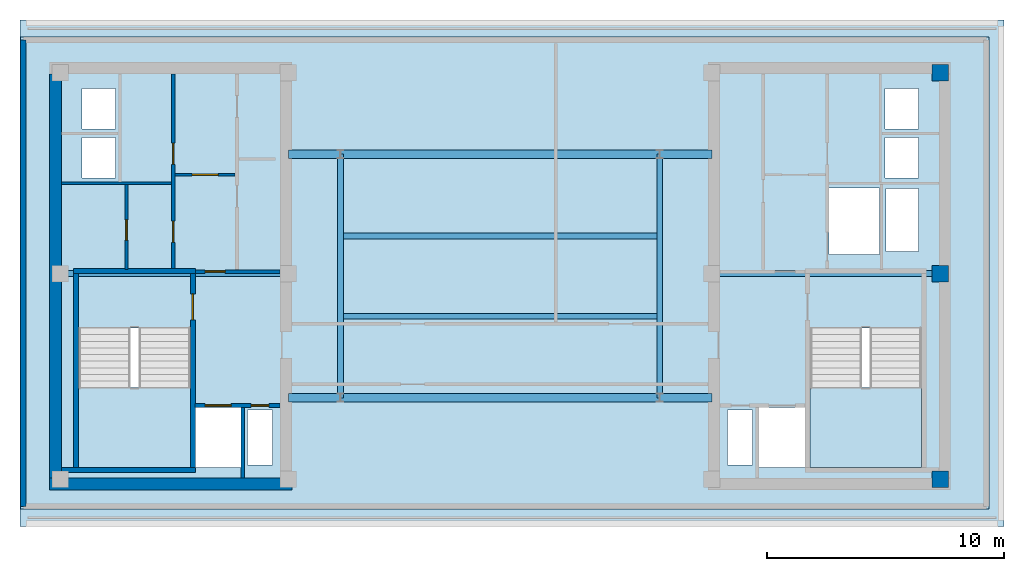
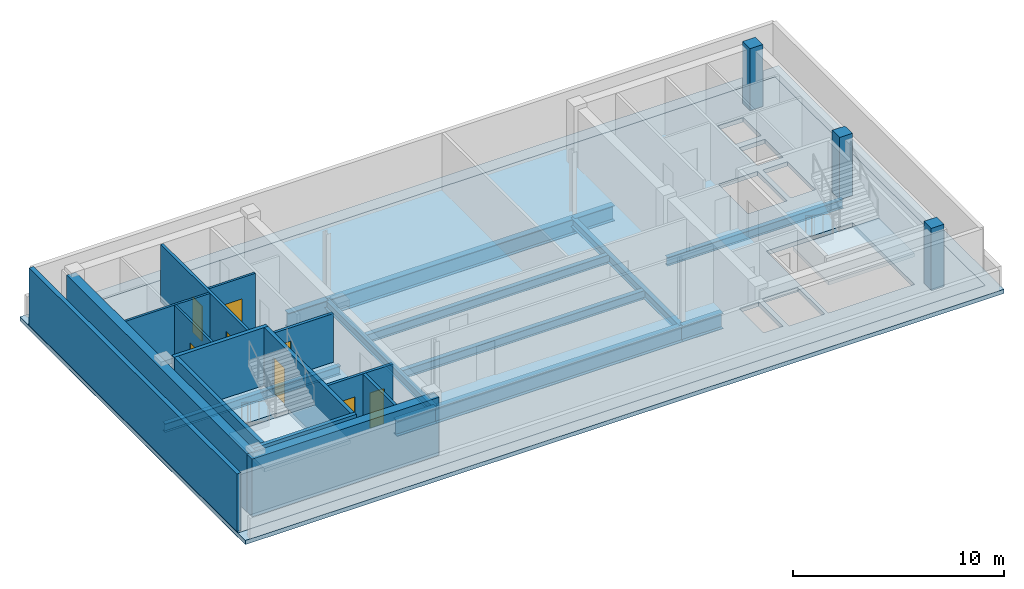
# One storey, part 2 of 5: 14 walls, 12 beams, 8 doors, 4 slabs, 3 columns, 8 openings, 2 elements without a shape of their own.
"""IFC4 building model written with IfcOpenShell, lengths in metres."""

from ifc_helpers import new_model, si_unit, direction, frame, frame_2d, origin, origin_2d, place, context, subcontext, project, spatial, polyline, rectangle, i_section, outline, extrude, material, layer, layer_set, material_profile, profile_set, type_object, element, fill, aggregate, save


model = new_model("IFC4")

# Units and contexts
model_context = context("Model", 3, precision=1e-05, world=origin(), true_north=direction((0.0, 1.0)))
body_context = subcontext(model_context, "Body", "Model", "MODEL_VIEW")
ifc_project = project(units=[si_unit("LENGTHUNIT", "METRE"), si_unit("AREAUNIT", "SQUARE_METRE"), si_unit("VOLUMEUNIT", "CUBIC_METRE"), si_unit("PLANEANGLEUNIT", "RADIAN"), si_unit("MASSUNIT", "GRAM", prefix="KILO")], contexts=[model_context])

# Site, building, storey
site_placement = place(None, origin())
site = spatial("IfcSite", under=ifc_project, at=site_placement, CompositionType="ELEMENT")
building_placement = place(site_placement, origin())
building = spatial("IfcBuilding", under=site, at=building_placement, Name="Velakula Bourse", CompositionType="ELEMENT")
storey_placement = place(building_placement, frame((0.0, 0.0, 304.949951171875)))
storey = spatial("IfcBuildingStorey", under=building, at=storey_placement, Name="L83", CompositionType="ELEMENT", Elevation=304.949951171875)

# Columns
ifc_material_1 = material(Name="Concrete M50 (fck 50 MPa)", Category="concrete")
ifc_material_profile_1 = material_profile(ifc_material_1, rectangle(XDim=0.699951171875, YDim=0.699951171875, at=origin_2d()), Name="Concrete M50 (fck 50 MPa)")
ifc_profile_set_1 = profile_set([ifc_material_profile_1], Name="Concrete M50 (fck 50 MPa)")
column_type = type_object("IfcColumnType", Name="COL-RC-700", PredefinedType="COLUMN", material=ifc_profile_set_1)
for number, where, z_axis, x_axis, name in (
    (1, (18.60009765625, -8.60009765625, 0.0), (0.0, 0.0, 1.0), (1.0, 0.0, 0.0), "L83 Core Boundary Column 10"),
    (2, (18.60009765625, 0.10009765625, 0.0), (0.0, 0.0, 1.0), (1.0, 0.0, 0.0), "L83 Core Boundary Column 11"),
    (3, (18.60009765625, 8.60009765625, 0.0), (0.0, 0.0, 1.0), (1.0, 0.0, 0.0), "L83 Core Boundary Column 12"),
):
    element("IfcColumn", number, at=place(storey_placement, frame(where, z_axis=z_axis, x_axis=x_axis)), inside=storey, type_object=column_type, Name=name, PredefinedType="COLUMN", context=body_context, shape_type="SweptSolid", body=[
        extrude(rectangle(XDim=0.699951171875, YDim=0.699951171875, at=origin_2d()), origin(), (0.0, 0.0, 1.0), 3.60009765625),
    ])

# Beams
ifc_material_2 = material(Name="Steel IS 2062 Grade 350 (E350)", Category="steel")
ifc_material_profile_2 = material_profile(ifc_material_2, i_section(OverallWidth=0.25, OverallDepth=0.5, WebThickness=0.010009765625, FlangeThickness=0.0146484375, at=origin_2d()), Name="Steel IS 2062 Grade 350 (E350)")
ifc_profile_set_2 = profile_set([ifc_material_profile_2], Name="Steel IS 2062 Grade 350 (E350)")
beam_type_1 = type_object("IfcBeamType", Name="BM-EDG-500", PredefinedType="BEAM", material=ifc_profile_set_2)
for number, where, z_axis, x_axis, name in (
    (4, (-18.60009765625, 0.10009765625, -0.5), (1.0, 0.0, 0.0), (0.0, 1.0, 0.0), "L83 Primary Backbone Girder CRW-M"),
    (5, (8.949951171875, 0.10009765625, -0.5), (1.0, 0.0, 0.0), (0.0, 1.0, 0.0), "L83 Primary Backbone Girder CRE-M"),
):
    element("IfcBeam", number, at=place(storey_placement, frame(where, z_axis=z_axis, x_axis=x_axis)), inside=storey, type_object=beam_type_1, Name=name, PredefinedType="BEAM", context=body_context, shape_type="SweptSolid", body=[
        extrude(i_section(OverallWidth=0.25, OverallDepth=0.5, WebThickness=0.010009765625, FlangeThickness=0.0146484375, at=origin_2d()), origin(), (0.0, 0.0, 1.0), 9.650146484375),
    ])
for number, where, z_axis, x_axis, name in (
    (6, (-6.75, -5.14990234375, -0.5), (0.0, 1.0, 0.0), (-1.0, 0.0, 0.0), "L83 Primary Backbone Girder SPN-W"),
    (7, (6.75, -5.14990234375, -0.5), (0.0, 1.0, 0.0), (-1.0, 0.0, 0.0), "L83 Primary Backbone Girder SPN-E"),
):
    element("IfcBeam", number, at=place(storey_placement, frame(where, z_axis=z_axis, x_axis=x_axis)), inside=storey, type_object=beam_type_1, Name=name, PredefinedType="BEAM", context=body_context, shape_type="SweptSolid", body=[
        extrude(i_section(OverallWidth=0.25, OverallDepth=0.5, WebThickness=0.010009765625, FlangeThickness=0.0146484375, at=origin_2d()), origin(), (0.0, 0.0, 1.0), 10.2998046875),
    ])
for number, where, z_axis, x_axis, name in (
    (8, (-6.75, -1.699951171875, -0.5), (1.0, 0.0, 0.0), (0.0, 1.0, 0.0), "L83 Crown Mechanical Floor Girder 1"),
    (9, (-6.75, 1.699951171875, -0.5), (1.0, 0.0, 0.0), (0.0, 1.0, 0.0), "L83 Crown Mechanical Floor Girder 2"),
):
    element("IfcBeam", number, at=place(storey_placement, frame(where, z_axis=z_axis, x_axis=x_axis)), inside=storey, type_object=beam_type_1, Name=name, PredefinedType="BEAM", context=body_context, shape_type="SweptSolid", body=[
        extrude(i_section(OverallWidth=0.25, OverallDepth=0.5, WebThickness=0.010009765625, FlangeThickness=0.0146484375, at=origin_2d()), origin(), (0.0, 0.0, 1.0), 13.5),
    ])
ifc_material_profile_3 = material_profile(ifc_material_2, i_section(OverallWidth=0.35009765625, OverallDepth=0.89990234375, WebThickness=0.02001953125, FlangeThickness=0.031982421875, at=origin_2d()), Name="Steel IS 2062 Grade 350 (E350)")
ifc_profile_set_3 = profile_set([ifc_material_profile_3], Name="Steel IS 2062 Grade 350 (E350)")
beam_type_2 = type_object("IfcBeamType", Name="BM-LNK-900", PredefinedType="BEAM", material=ifc_profile_set_3)
beam_1_placement = place(storey_placement, frame((-8.949951171875, -5.14990234375, -0.699951171875), z_axis=(1.0, 0.0, 0.0), x_axis=(0.0, 1.0, 0.0)))
element("IfcBeam", 10, at=beam_1_placement, inside=storey, type_object=beam_type_2, Name="L83 Primary Backbone Girder LNK-S1", PredefinedType="BEAM", context=body_context, shape_type="SweptSolid", body=[
    extrude(i_section(OverallWidth=0.35009765625, OverallDepth=0.89990234375, WebThickness=0.02001953125, FlangeThickness=0.031982421875, at=origin_2d()), origin(), (0.0, 0.0, 1.0), 2.199951171875),
])
beam_2_placement = place(storey_placement, frame((-6.75, -5.14990234375, -0.699951171875), z_axis=(1.0, 0.0, 0.0), x_axis=(0.0, 1.0, 0.0)))
element("IfcBeam", 11, at=beam_2_placement, inside=storey, type_object=beam_type_2, Name="L83 Primary Backbone Girder LNK-S2", PredefinedType="BEAM", context=body_context, shape_type="SweptSolid", body=[
    extrude(i_section(OverallWidth=0.35009765625, OverallDepth=0.89990234375, WebThickness=0.02001953125, FlangeThickness=0.031982421875, at=origin_2d()), origin(), (0.0, 0.0, 1.0), 13.5),
])
for number, where, z_axis, x_axis, name in (
    (12, (6.75, -5.14990234375, -0.699951171875), (1.0, 0.0, 0.0), (0.0, 1.0, 0.0), "L83 Primary Backbone Girder LNK-S3"),
    (13, (-8.949951171875, 5.14990234375, -0.699951171875), (1.0, 0.0, 0.0), (0.0, 1.0, 0.0), "L83 Primary Backbone Girder LNK-N1"),
):
    element("IfcBeam", number, at=place(storey_placement, frame(where, z_axis=z_axis, x_axis=x_axis)), inside=storey, type_object=beam_type_2, Name=name, PredefinedType="BEAM", context=body_context, shape_type="SweptSolid", body=[
        extrude(i_section(OverallWidth=0.35009765625, OverallDepth=0.89990234375, WebThickness=0.02001953125, FlangeThickness=0.031982421875, at=origin_2d()), origin(), (0.0, 0.0, 1.0), 2.199951171875),
    ])
beam_3_placement = place(storey_placement, frame((-6.75, 5.14990234375, -0.699951171875), z_axis=(1.0, 0.0, 0.0), x_axis=(0.0, 1.0, 0.0)))
element("IfcBeam", 14, at=beam_3_placement, inside=storey, type_object=beam_type_2, Name="L83 Primary Backbone Girder LNK-N2", PredefinedType="BEAM", context=body_context, shape_type="SweptSolid", body=[
    extrude(i_section(OverallWidth=0.35009765625, OverallDepth=0.89990234375, WebThickness=0.02001953125, FlangeThickness=0.031982421875, at=origin_2d()), origin(), (0.0, 0.0, 1.0), 13.5),
])
beam_4_placement = place(storey_placement, frame((6.75, 5.14990234375, -0.699951171875), z_axis=(1.0, 0.0, 0.0), x_axis=(0.0, 1.0, 0.0)))
element("IfcBeam", 15, at=beam_4_placement, inside=storey, type_object=beam_type_2, Name="L83 Primary Backbone Girder LNK-N3", PredefinedType="BEAM", context=body_context, shape_type="SweptSolid", body=[
    extrude(i_section(OverallWidth=0.35009765625, OverallDepth=0.89990234375, WebThickness=0.02001953125, FlangeThickness=0.031982421875, at=origin_2d()), origin(), (0.0, 0.0, 1.0), 2.199951171875),
])

# Slabs
ifc_layer_1 = layer(ifc_material_1, 0.239990234375, Name="Concrete M50 (fck 50 MPa)", Category="concrete")
ifc_layer_set_1 = layer_set([ifc_layer_1], Name="Concrete M50 (fck 50 MPa)")
slab_type_1 = type_object("IfcSlabType", Name="SLB-CRN-ROOF-240", PredefinedType="ROOF", material=ifc_layer_set_1)
slab_1_placement = place(storey_placement, frame((0.0, 0.0, -0.239990234375)))
element("IfcSlab", 16, at=slab_1_placement, inside=storey, type_object=slab_type_1, Name="L83 Crown Step 6 Closed Roof", PredefinedType="ROOF", context=body_context, shape_type="SweptSolid", body=[
    extrude(outline(polyline([(-20.300048828125, 10.820068359375), (21.300048828125, 10.820068359375), (21.300048828125, -10.580078125), (-20.300048828125, -10.580078125), (-20.300048828125, 10.820068359375)]), holes=[polyline([(20.679931640625, -9.860107421875), (20.679931640625, 10.10009765625), (-20.280029296875, 10.10009765625), (-20.280029296875, -9.860107421875), (20.679931640625, -9.860107421875)])]), origin(), (0.0, 0.0, 1.0), 0.239990234375),
])
ifc_layer_2 = layer(ifc_material_1, 0.25, Name="Concrete M50 (fck 50 MPa)", Category="concrete")
ifc_layer_set_2 = layer_set([ifc_layer_2], Name="Concrete M50 (fck 50 MPa)")
slab_type_2 = type_object("IfcSlabType", Name="SLB-POD-250", PredefinedType="FLOOR", material=ifc_layer_set_2)
slab_2_placement = place(storey_placement, frame((0.0, 0.0, -0.25)))
element("IfcSlab", 17, at=slab_2_placement, inside=storey, type_object=slab_type_2, Name="L83 Suspended Structural Floor Slab", PredefinedType="FLOOR", context=body_context, shape_type="SweptSolid", body=[
    extrude(outline(polyline([(-20.300048828125, -9.8798828125), (20.699951171875, -9.8798828125), (20.699951171875, 10.1201171875), (-20.300048828125, 10.1201171875), (-20.300048828125, -9.8798828125)]), holes=[polyline([(-17.820068359375, -8.10009765625), (-13.10009765625, -8.10009765625), (-13.10009765625, -2.199951171875), (-17.820068359375, -2.199951171875), (-17.820068359375, -8.10009765625)]), polyline([(13.10009765625, -8.10009765625), (17.820068359375, -8.10009765625), (17.820068359375, -2.199951171875), (13.10009765625, -2.199951171875), (13.10009765625, -8.10009765625)]), polyline([(-12.89990234375, -8.10009765625), (-10.949951171875, -8.10009765625), (-10.949951171875, -5.550048828125), (-12.89990234375, -5.550048828125), (-12.89990234375, -8.10009765625)]), polyline([(10.949951171875, -8.10009765625), (12.89990234375, -8.10009765625), (12.89990234375, -5.550048828125), (10.949951171875, -5.550048828125), (10.949951171875, -8.10009765625)]), polyline([(13.89990234375, 0.919921875), (16.050048828125, 0.919921875), (16.050048828125, 3.719970703125), (13.89990234375, 3.719970703125), (13.89990234375, 0.919921875)]), polyline([(-10.679931640625, -7.97998046875), (-9.6201171875, -7.97998046875), (-9.6201171875, -5.669921875), (-10.679931640625, -5.669921875), (-10.679931640625, -7.97998046875)]), polyline([(-17.679931640625, 4.139892578125), (-16.27001953125, 4.139892578125), (-16.27001953125, 5.85009765625), (-17.679931640625, 5.85009765625), (-17.679931640625, 4.139892578125)]), polyline([(-17.679931640625, 6.2099609375), (-16.27001953125, 6.2099609375), (-16.27001953125, 7.919921875), (-17.679931640625, 7.919921875), (-17.679931640625, 6.2099609375)]), polyline([(9.6201171875, -7.97998046875), (10.679931640625, -7.97998046875), (10.679931640625, -5.669921875), (9.6201171875, -5.669921875), (9.6201171875, -7.97998046875)]), polyline([(16.27001953125, 4.139892578125), (17.679931640625, 4.139892578125), (17.679931640625, 5.85009765625), (16.27001953125, 5.85009765625), (16.27001953125, 4.139892578125)]), polyline([(16.27001953125, 6.2099609375), (17.679931640625, 6.2099609375), (17.679931640625, 7.919921875), (16.27001953125, 7.919921875), (16.27001953125, 6.2099609375)]), polyline([(16.320068359375, 1.0400390625), (17.679931640625, 1.0400390625), (17.679931640625, 3.699951171875), (16.320068359375, 3.699951171875), (16.320068359375, 1.0400390625)])]), origin(), (0.0, 0.0, 1.0), 0.25),
])

# Stair, slab
ifc_material_3 = material(Name="Concrete M45 (fck 45 MPa)", Category="concrete")
stair_type = type_object("IfcStairType", Name="STR-DOG-390", PredefinedType="HALF_TURN_STAIR", material=ifc_material_3)
stair_1_placement = place(storey_placement, origin())
stair_1 = element("IfcStair", 18, at=stair_1_placement, inside=storey, type_object=stair_type, Name="L83 West Core Exit Stair ST-W1", PredefinedType="HALF_TURN_STAIR")
ifc_layer_3 = layer(ifc_material_3, 0.199951171875, Name="Concrete M45 (fck 45 MPa)", Category="concrete")
ifc_layer_set_3 = layer_set([ifc_layer_3], Name="Concrete M45 (fck 45 MPa)")
slab_type_3 = type_object("IfcSlabType", Name="SLB-STAIR-LND-200", PredefinedType="LANDING", material=ifc_layer_set_3)
slab_3_placement = place(storey_placement, frame((0.0, 0.0, 1.60009765625)))
slab_3 = element("IfcSlab", 19, at=slab_3_placement, type_object=slab_type_3, Name="ST-W1 landing 1", PredefinedType="LANDING", context=body_context, shape_type="SweptSolid", body=[
    extrude(outline(polyline([(-17.820068359375, -4.719970703125), (-17.820068359375, -8.10009765625), (-13.10009765625, -8.10009765625), (-13.10009765625, -4.719970703125), (-17.820068359375, -4.719970703125)])), origin(), (0.0, 0.0, 1.0), 0.199951171875),
])
aggregate(stair_1, [slab_3])

stair_2_placement = place(storey_placement, origin())
stair_2 = element("IfcStair", 20, at=stair_2_placement, inside=storey, type_object=stair_type, Name="L83 East Core Exit Stair ST-E1", PredefinedType="HALF_TURN_STAIR")
slab_4_placement = place(storey_placement, frame((0.0, 0.0, 1.60009765625)))
slab_4 = element("IfcSlab", 21, at=slab_4_placement, type_object=slab_type_3, Name="ST-E1 landing 1", PredefinedType="LANDING", context=body_context, shape_type="SweptSolid", body=[
    extrude(outline(polyline([(13.10009765625, -4.719970703125), (13.10009765625, -8.10009765625), (17.820068359375, -8.10009765625), (17.820068359375, -4.719970703125), (13.10009765625, -4.719970703125)])), origin(), (0.0, 0.0, 1.0), 0.199951171875),
])
aggregate(stair_2, [slab_4])

# Wall, opening, door
ifc_layer_4 = layer(ifc_material_1, 0.2099609375, Name="Concrete M50 (fck 50 MPa)", Category="concrete")
ifc_layer_set_4 = layer_set([ifc_layer_4], Name="Concrete M50 (fck 50 MPa)")
wall_type_1 = type_object("IfcWallType", Name="WL-CORE-210", PredefinedType="SHEAR", material=ifc_layer_set_4)
wall_1_placement = place(storey_placement, frame((-12.9951171875, -8.10009765625, 0.0), z_axis=(0.0, 0.0, 1.0), x_axis=(0.0, 1.0, 0.0)))
wall_1 = element("IfcWall", 22, at=wall_1_placement, inside=storey, type_object=wall_type_1, Name="L83 Core W Stairwell Shear Wall IN", PredefinedType="SHEAR", context=body_context, shape_type="SweptSolid", body=[
    extrude(rectangle(XDim=8.2001953125, YDim=0.2099609375, at=frame_2d((4.10009765625, 0.0))), origin(), (0.0, 0.0, 1.0), 3.35009765625),
])
opening_1_placement = place(wall_1_placement, frame((6.25, 0.0, 0.0)))
opening_1 = element("IfcOpeningElement", 23, at=opening_1_placement, cuts=wall_1, Name="Opening D-STW1", PredefinedType="OPENING", context=body_context, shape_type="SweptSolid", body=[
    extrude(rectangle(XDim=1.10009765625, YDim=2.14990234375, at=frame_2d((0.550048828125, 1.074951171875))), frame((0.0, 0.114990234375, 0.0), z_axis=(0.0, -1.0, 0.0), x_axis=(1.0, 0.0, 0.0)), (0.0, 0.0, 1.0), 0.22998046875),
])
ifc_material_4 = material(Name="Galvanised painted hollow steel fire door", Category="steel")
door_type_1 = type_object("IfcDoorType", Name="DR-FD120-1100x2150", OperationType="NOTDEFINED", PredefinedType="DOOR", material=ifc_material_4)
door_1_placement = place(opening_1_placement, origin())
door_1 = element("IfcDoor", 24, at=door_1_placement, inside=storey, type_object=door_type_1, Name="L83 Stair ST-W1 Fire Door", OperationType="SINGLE_SWING_LEFT", OverallHeight=2.14990234375, OverallWidth=1.10009765625, PredefinedType="DOOR", context=body_context, shape_type="SweptSolid", body=[
    extrude(rectangle(XDim=1.10009765625, YDim=2.14990234375, at=frame_2d((0.550048828125, 1.074951171875))), frame((0.0, 0.02490234375, 0.0), z_axis=(0.0, -1.0, 0.0), x_axis=(1.0, 0.0, 0.0)), (0.0, 0.0, 1.0), 0.050048828125),
])
fill(opening_1, door_1)

# Walls
wall_2_placement = place(storey_placement, frame((-17.925048828125, -8.10009765625, 0.0), z_axis=(0.0, 0.0, 1.0), x_axis=(0.0, 1.0, 0.0)))
element("IfcWall", 25, at=wall_2_placement, inside=storey, type_object=wall_type_1, Name="L83 Core W Stairwell Shear Wall OUT", PredefinedType="SHEAR", context=body_context, shape_type="SweptSolid", body=[
    extrude(rectangle(XDim=8.2001953125, YDim=0.2099609375, at=frame_2d((4.10009765625, 0.0))), origin(), (0.0, 0.0, 1.0), 3.35009765625),
])
wall_3_placement = place(storey_placement, frame((-18.550048828125, -8.205078125, 0.0), z_axis=(0.0, 0.0, 1.0), x_axis=(1.0, 0.0, 0.0)))
element("IfcWall", 26, at=wall_3_placement, inside=storey, type_object=wall_type_1, Name="L83 Core W Stairwell Shear Wall S", PredefinedType="SHEAR", context=body_context, shape_type="SweptSolid", body=[
    extrude(rectangle(XDim=5.66015625, YDim=0.2099609375, at=frame_2d((2.830078125, 0.0))), origin(), (0.0, 0.0, 1.0), 3.35009765625),
])
wall_4_placement = place(storey_placement, frame((-12.889892578125, 0.205078125, 0.0), z_axis=(0.0, 0.0, 1.0), x_axis=(-1.0, 0.0, 0.0)))
element("IfcWall", 27, at=wall_4_placement, inside=storey, type_object=wall_type_1, Name="L83 Core W Stairwell Shear Wall N", PredefinedType="SHEAR", context=body_context, shape_type="SweptSolid", body=[
    extrude(rectangle(XDim=5.14013671875, YDim=0.2099609375, at=frame_2d((2.570068359375, 0.0))), origin(), (0.0, 0.0, 1.0), 3.35009765625),
])
ifc_layer_5 = layer(ifc_material_1, 0.5, Name="Concrete M50 (fck 50 MPa)", Category="concrete")
ifc_layer_set_5 = layer_set([ifc_layer_5], Name="Concrete M50 (fck 50 MPa)")
wall_type_2 = type_object("IfcWallType", Name="WL-CORE-500", PredefinedType="SHEAR", material=ifc_layer_set_5)
wall_5_placement = place(storey_placement, frame((-19.050048828125, -8.800048828125, 0.0), z_axis=(0.0, 0.0, 1.0), x_axis=(1.0, 0.0, 0.0)))
element("IfcWall", 28, at=wall_5_placement, inside=storey, type_object=wall_type_2, Name="L83 Core W Shear Wall S", PredefinedType="SHEAR", context=body_context, shape_type="SweptSolid", body=[
    extrude(rectangle(XDim=10.25, YDim=0.5, at=frame_2d((5.125, 0.0))), origin(), (0.0, 0.0, 1.0), 3.35009765625),
])
wall_6_placement = place(storey_placement, frame((-18.800048828125, -8.550048828125, 0.0), z_axis=(0.0, 0.0, 1.0), x_axis=(0.0, 1.0, 0.0)))
element("IfcWall", 29, at=wall_6_placement, inside=storey, type_object=wall_type_2, Name="L83 Core W Shear Wall W", PredefinedType="SHEAR", context=body_context, shape_type="SweptSolid", body=[
    extrude(rectangle(XDim=17.10009765625, YDim=0.5, at=frame_2d((8.550048828125, 0.0))), origin(), (0.0, 0.0, 1.0), 3.35009765625),
])
ifc_material_5 = material(Name="Buff kilned clay facing brick masonry", Category="masonry")
ifc_layer_6 = layer(ifc_material_5, 0.239990234375, Name="Buff kilned clay facing brick masonry", Category="masonry")
ifc_layer_set_6 = layer_set([ifc_layer_6], Name="Buff kilned clay facing brick masonry")
wall_type_3 = type_object("IfcWallType", Name="WL-EXT-CRN-240", PredefinedType="STANDARD", material=ifc_layer_set_6)
wall_7_placement = place(storey_placement, frame((-20.159912109375, 9.97998046875, 0.0), z_axis=(0.0, 0.0, 1.0), x_axis=(0.0, -1.0, 0.0)))
element("IfcWall", 30, at=wall_7_placement, inside=storey, type_object=wall_type_3, Name="L83 Crown Brick Acoustic Wall W", PredefinedType="STANDARD", context=body_context, shape_type="SweptSolid", body=[
    extrude(rectangle(XDim=19.719970703125, YDim=0.239990234375, at=frame_2d((9.85986328125, 0.0))), origin(), (0.0, 0.0, 1.0), 3.330078125),
])

# Wall, opening, door
ifc_material_6 = material(Name="Fire-rated double-layer gypsum drywall partition", Category="gypsum")
ifc_layer_7 = layer(ifc_material_6, 0.1201171875, Name="Fire-rated double-layer gypsum drywall partition", Category="gypsum")
ifc_layer_set_7 = layer_set([ifc_layer_7], Name="Fire-rated double-layer gypsum drywall partition")
wall_type_4 = type_object("IfcWallType", Name="WL-PART-120", PredefinedType="STANDARD", material=ifc_layer_set_7)
wall_8_placement = place(storey_placement, frame((-13.75, 4.280029296875, 0.0), z_axis=(0.0, 0.0, 1.0), x_axis=(1.0, 0.0, 0.0)))
wall_8 = element("IfcWall", 31, at=wall_8_placement, inside=storey, type_object=wall_type_4, Name="L83 Interior Partition WL-CRW-L83-LL-K2", PredefinedType="STANDARD", context=body_context, shape_type="SweptSolid", body=[
    extrude(rectangle(XDim=2.550048828125, YDim=0.1201171875, at=frame_2d((1.27490234375, 0.0))), origin(), (0.0, 0.0, 1.0), 3.330078125),
])
opening_2_placement = place(wall_8_placement, frame((0.72509765625, 0.0, 0.0)))
opening_2 = element("IfcOpeningElement", 32, at=opening_2_placement, cuts=wall_8, Name="Opening D-LK2", PredefinedType="OPENING", context=body_context, shape_type="SweptSolid", body=[
    extrude(rectangle(XDim=1.10009765625, YDim=2.10009765625, at=frame_2d((0.550048828125, 1.050048828125))), frame((0.0, 0.070068359375, 0.0), z_axis=(0.0, -1.0, 0.0), x_axis=(1.0, 0.0, 0.0)), (0.0, 0.0, 1.0), 0.14013671875),
])
ifc_material_7 = material(Name="Fire-rated hardwood flush architectural door", Category="wood")
door_type_2 = type_object("IfcDoorType", Name="DR-FD60-1100x2100", OperationType="NOTDEFINED", PredefinedType="DOOR", material=ifc_material_7)
door_2_placement = place(opening_2_placement, origin())
door_2 = element("IfcDoor", 33, at=door_2_placement, inside=storey, type_object=door_type_2, Name="L83 Core W Lift Lobby Zone Door", OperationType="SINGLE_SWING_LEFT", OverallHeight=2.10009765625, OverallWidth=1.10009765625, PredefinedType="DOOR", context=body_context, shape_type="SweptSolid", body=[
    extrude(rectangle(XDim=1.10009765625, YDim=2.10009765625, at=frame_2d((0.550048828125, 1.050048828125))), frame((0.0, 0.02490234375, 0.0), z_axis=(0.0, -1.0, 0.0), x_axis=(1.0, 0.0, 0.0)), (0.0, 0.0, 1.0), 0.050048828125),
])
fill(opening_2, door_2)

# Wall
wall_9_placement = place(storey_placement, frame((-18.550048828125, 3.919921875, 0.0), z_axis=(0.0, 0.0, 1.0), x_axis=(1.0, 0.0, 0.0)))
element("IfcWall", 34, at=wall_9_placement, inside=storey, type_object=wall_type_4, Name="L83 Interior Partition WL-CRW-L83-HI-S", PredefinedType="STANDARD", context=body_context, shape_type="SweptSolid", body=[
    extrude(rectangle(XDim=4.650146484375, YDim=0.1201171875, at=frame_2d((2.3251953125, 0.0))), origin(), (0.0, 0.0, 1.0), 3.330078125),
])

# Wall, opening, door
wall_10_placement = place(storey_placement, frame((-15.800048828125, 0.27001953125, 0.0), z_axis=(0.0, 0.0, 1.0), x_axis=(0.0, 1.0, 0.0)))
wall_10 = element("IfcWall", 35, at=wall_10_placement, inside=storey, type_object=wall_type_4, Name="L83 Interior Partition WL-CRW-L83-K2", PredefinedType="STANDARD", context=body_context, shape_type="SweptSolid", body=[
    extrude(rectangle(XDim=3.590087890625, YDim=0.1201171875, at=frame_2d((1.794921875, 0.0))), origin(), (0.0, 0.0, 1.0), 3.330078125),
])
opening_3_placement = place(wall_10_placement, frame((1.25, 0.0, 0.0)))
opening_3 = element("IfcOpeningElement", 36, at=opening_3_placement, cuts=wall_10, Name="Opening D-CE1", PredefinedType="OPENING", context=body_context, shape_type="SweptSolid", body=[
    extrude(rectangle(XDim=0.85009765625, YDim=2.050048828125, at=frame_2d((0.425048828125, 1.02490234375))), frame((0.0, 0.070068359375, 0.0), z_axis=(0.0, -1.0, 0.0), x_axis=(1.0, 0.0, 0.0)), (0.0, 0.0, 1.0), 0.14013671875),
])
door_type_3 = type_object("IfcDoorType", Name="DR-INT-850", OperationType="NOTDEFINED", PredefinedType="DOOR", material=ifc_material_7)
door_3_placement = place(opening_3_placement, origin())
door_3 = element("IfcDoor", 37, at=door_3_placement, inside=storey, type_object=door_type_3, Name="L83 Core Equipment Store Door", OperationType="SINGLE_SWING_RIGHT", OverallHeight=2.050048828125, OverallWidth=0.85009765625, PredefinedType="DOOR", context=body_context, shape_type="SweptSolid", body=[
    extrude(rectangle(XDim=0.85009765625, YDim=2.050048828125, at=frame_2d((0.425048828125, 1.02490234375))), frame((0.0, 0.02490234375, 0.0), z_axis=(0.0, -1.0, 0.0), x_axis=(1.0, 0.0, 0.0)), (0.0, 0.0, 1.0), 0.050048828125),
])
fill(opening_3, door_3)

# Wall, openings, doors
ifc_material_8 = material(Name="Autoclaved aerated concrete blockwork masonry", Category="masonry")
ifc_layer_8 = layer(ifc_material_8, 0.14990234375, Name="Autoclaved aerated concrete blockwork masonry", Category="masonry")
ifc_layer_set_8 = layer_set([ifc_layer_8], Name="Autoclaved aerated concrete blockwork masonry")
wall_type_5 = type_object("IfcWallType", Name="WL-SHAFT-150", PredefinedType="STANDARD", material=ifc_layer_set_8)
wall_11_placement = place(storey_placement, frame((-12.89501953125, -5.47509765625, 0.0), z_axis=(0.0, 0.0, 1.0), x_axis=(1.0, 0.0, 0.0)))
wall_11 = element("IfcWall", 38, at=wall_11_placement, inside=storey, type_object=wall_type_5, Name="L83 Interior Partition WL-CRW-L83-FFL-N", PredefinedType="STANDARD", context=body_context, shape_type="SweptSolid", body=[
    extrude(rectangle(XDim=3.594970703125, YDim=0.14990234375, at=frame_2d((1.79736328125, 0.0))), origin(), (0.0, 0.0, 1.0), 3.330078125),
])
opening_4_placement = place(wall_11_placement, frame((0.419921875, 0.0, 0.0)))
opening_4 = element("IfcOpeningElement", 39, at=opening_4_placement, cuts=wall_11, Name="Opening LD-FFL-1", PredefinedType="OPENING", context=body_context, shape_type="SweptSolid", body=[
    extrude(rectangle(XDim=1.10009765625, YDim=2.14990234375, at=frame_2d((0.550048828125, 1.074951171875))), frame((0.0, 0.0849609375, 0.0), z_axis=(0.0, -1.0, 0.0), x_axis=(1.0, 0.0, 0.0)), (0.0, 0.0, 1.0), 0.169921875),
])
opening_5_placement = place(wall_11_placement, frame((2.3701171875, 0.0, 0.0)))
opening_5 = element("IfcOpeningElement", 40, at=opening_5_placement, cuts=wall_11, Name="Opening D-RS1", PredefinedType="OPENING", context=body_context, shape_type="SweptSolid", body=[
    extrude(rectangle(XDim=0.75, YDim=2.050048828125, at=frame_2d((0.375, 1.02490234375))), frame((0.0, 0.0849609375, 0.0), z_axis=(0.0, -1.0, 0.0), x_axis=(1.0, 0.0, 0.0)), (0.0, 0.0, 1.0), 0.169921875),
])
door_type_4 = type_object("IfcDoorType", Name="DR-RISER-800", OperationType="NOTDEFINED", PredefinedType="DOOR", material=ifc_material_4)
door_4_placement = place(opening_5_placement, origin())
door_4 = element("IfcDoor", 41, at=door_4_placement, inside=storey, type_object=door_type_4, Name="L83 Fire Riser Access Door", OperationType="SINGLE_SWING_RIGHT", OverallHeight=2.050048828125, OverallWidth=0.75, PredefinedType="DOOR", context=body_context, shape_type="SweptSolid", body=[
    extrude(rectangle(XDim=0.75, YDim=2.050048828125, at=frame_2d((0.375, 1.02490234375))), frame((0.0, 0.02490234375, 0.0), z_axis=(0.0, -1.0, 0.0), x_axis=(1.0, 0.0, 0.0)), (0.0, 0.0, 1.0), 0.050048828125),
])
fill(opening_5, door_4)
ifc_material_9 = material(Name="Brushed grade 316 stainless steel", Category="steel")
door_type_5 = type_object("IfcDoorType", Name="DR-SLIDE-FFL-1100", OperationType="DOUBLE_DOOR_SLIDING", PredefinedType="DOOR", material=ifc_material_9)
door_5_placement = place(opening_4_placement, origin())
door_5 = element("IfcDoor", 42, at=door_5_placement, inside=storey, type_object=door_type_5, Name="L83 Firefighting Lift FFL-1 Sliding Landing Door", OperationType="DOUBLE_DOOR_SLIDING", OverallHeight=2.14990234375, OverallWidth=1.10009765625, PredefinedType="DOOR", context=body_context, shape_type="SweptSolid", body=[
    extrude(rectangle(XDim=1.10009765625, YDim=2.14990234375, at=frame_2d((0.550048828125, 1.074951171875))), frame((0.0, 0.02490234375, 0.0), z_axis=(0.0, -1.0, 0.0), x_axis=(1.0, 0.0, 0.0)), (0.0, 0.0, 1.0), 0.050048828125),
])
fill(opening_4, door_5)

# Wall
wall_12_placement = place(storey_placement, frame((-10.875, -8.550048828125, 0.0), z_axis=(0.0, 0.0, 1.0), x_axis=(0.0, 1.0, 0.0)))
element("IfcWall", 43, at=wall_12_placement, inside=storey, type_object=wall_type_5, Name="L83 Interior Partition WL-CRW-L83-FR-DIV", PredefinedType="STANDARD", context=body_context, shape_type="SweptSolid", body=[
    extrude(rectangle(XDim=3.0, YDim=0.14990234375, at=frame_2d((1.5, 0.0))), origin(), (0.0, 0.0, 1.0), 3.330078125),
])

# Wall, opening, door
wall_13_placement = place(storey_placement, frame((-12.889892578125, 0.18994140625, 0.0), z_axis=(0.0, 0.0, 1.0), x_axis=(1.0, 0.0, 0.0)))
wall_13 = element("IfcWall", 44, at=wall_13_placement, inside=storey, type_object=wall_type_5, Name="L83 Interior Partition WL-CRW-L83-FF-TOP", PredefinedType="STANDARD", context=body_context, shape_type="SweptSolid", body=[
    extrude(rectangle(XDim=3.58984375, YDim=0.14990234375, at=frame_2d((1.794921875, 0.0))), origin(), (0.0, 0.0, 1.0), 2.824951171875),
])
opening_6_placement = place(wall_13_placement, frame((0.4150390625, 0.0, 0.0)))
opening_6 = element("IfcOpeningElement", 45, at=opening_6_placement, cuts=wall_13, Name="Opening D-FC1", PredefinedType="OPENING", context=body_context, shape_type="SweptSolid", body=[
    extrude(rectangle(XDim=0.85009765625, YDim=2.0400390625, at=frame_2d((0.425048828125, 1.02001953125))), frame((0.0, 0.0849609375, 0.0), z_axis=(0.0, -1.0, 0.0), x_axis=(1.0, 0.0, 0.0)), (0.0, 0.0, 1.0), 0.169921875),
])
door_type_6 = type_object("IfcDoorType", Name="DR-FD120-850", OperationType="NOTDEFINED", PredefinedType="DOOR", material=ifc_material_4)
door_6_placement = place(opening_6_placement, origin())
door_6 = element("IfcDoor", 46, at=door_6_placement, inside=storey, type_object=door_type_6, Name="L83 Firefighting Lobby Link Fire Door", OperationType="SINGLE_SWING_RIGHT", OverallHeight=2.0400390625, OverallWidth=0.85009765625, PredefinedType="DOOR", context=body_context, shape_type="SweptSolid", body=[
    extrude(rectangle(XDim=0.85009765625, YDim=2.0400390625, at=frame_2d((0.425048828125, 1.02001953125))), frame((0.0, 0.02490234375, 0.0), z_axis=(0.0, -1.0, 0.0), x_axis=(1.0, 0.0, 0.0)), (0.0, 0.0, 1.0), 0.050048828125),
])
fill(opening_6, door_6)

# Wall, openings, doors
wall_14_placement = place(storey_placement, frame((-13.824951171875, 0.27001953125, 0.0), z_axis=(0.0, 0.0, 1.0), x_axis=(0.0, 1.0, 0.0)))
wall_14 = element("IfcWall", 47, at=wall_14_placement, inside=storey, type_object=wall_type_5, Name="L83 Interior Partition WL-CRW-L83-OUT-F", PredefinedType="STANDARD", context=body_context, shape_type="SweptSolid", body=[
    extrude(rectangle(XDim=8.280029296875, YDim=0.14990234375, at=frame_2d((4.14013671875, 0.0))), origin(), (0.0, 0.0, 1.0), 3.330078125),
])
opening_7_placement = place(wall_14_placement, frame((4.449951171875, 0.0, 0.0)))
opening_7 = element("IfcOpeningElement", 48, at=opening_7_placement, cuts=wall_14, Name="Opening D-RC3", PredefinedType="OPENING", context=body_context, shape_type="SweptSolid", body=[
    extrude(rectangle(XDim=0.89990234375, YDim=2.050048828125, at=frame_2d((0.449951171875, 1.02490234375))), frame((0.0, 0.0849609375, 0.0), z_axis=(0.0, -1.0, 0.0), x_axis=(1.0, 0.0, 0.0)), (0.0, 0.0, 1.0), 0.169921875),
])
opening_8_placement = place(wall_14_placement, frame((1.14990234375, 0.0, 0.0)))
opening_8 = element("IfcOpeningElement", 49, at=opening_8_placement, cuts=wall_14, Name="Opening D-CP1", PredefinedType="OPENING", context=body_context, shape_type="SweptSolid", body=[
    extrude(rectangle(XDim=0.89990234375, YDim=2.050048828125, at=frame_2d((0.449951171875, 1.02490234375))), frame((0.0, 0.0849609375, 0.0), z_axis=(0.0, -1.0, 0.0), x_axis=(1.0, 0.0, 0.0)), (0.0, 0.0, 1.0), 0.169921875),
])
door_type_7 = type_object("IfcDoorType", Name="DR-FD60-900", OperationType="NOTDEFINED", PredefinedType="DOOR", material=ifc_material_7)
door_7_placement = place(opening_7_placement, origin())
door_7 = element("IfcDoor", 50, at=door_7_placement, inside=storey, type_object=door_type_7, Name="L83 Crown Lift Machine Plant Room Door", OperationType="SINGLE_SWING_RIGHT", OverallHeight=2.050048828125, OverallWidth=0.89990234375, PredefinedType="DOOR", context=body_context, shape_type="SweptSolid", body=[
    extrude(rectangle(XDim=0.89990234375, YDim=2.050048828125, at=frame_2d((0.449951171875, 1.02490234375))), frame((0.0, 0.02490234375, 0.0), z_axis=(0.0, -1.0, 0.0), x_axis=(1.0, 0.0, 0.0)), (0.0, 0.0, 1.0), 0.050048828125),
])
fill(opening_7, door_7)
door_type_8 = type_object("IfcDoorType", Name="DR-INT-900", OperationType="NOTDEFINED", PredefinedType="DOOR", material=ifc_material_7)
door_8_placement = place(opening_8_placement, origin())
door_8 = element("IfcDoor", 51, at=door_8_placement, inside=storey, type_object=door_type_8, Name="L83 Core Tea Pantry Door", OperationType="SINGLE_SWING_LEFT", OverallHeight=2.050048828125, OverallWidth=0.89990234375, PredefinedType="DOOR", context=body_context, shape_type="SweptSolid", body=[
    extrude(rectangle(XDim=0.89990234375, YDim=2.050048828125, at=frame_2d((0.449951171875, 1.02490234375))), frame((0.0, 0.02490234375, 0.0), z_axis=(0.0, -1.0, 0.0), x_axis=(1.0, 0.0, 0.0)), (0.0, 0.0, 1.0), 0.050048828125),
])
fill(opening_8, door_8)

save(model, "model.ifc")
